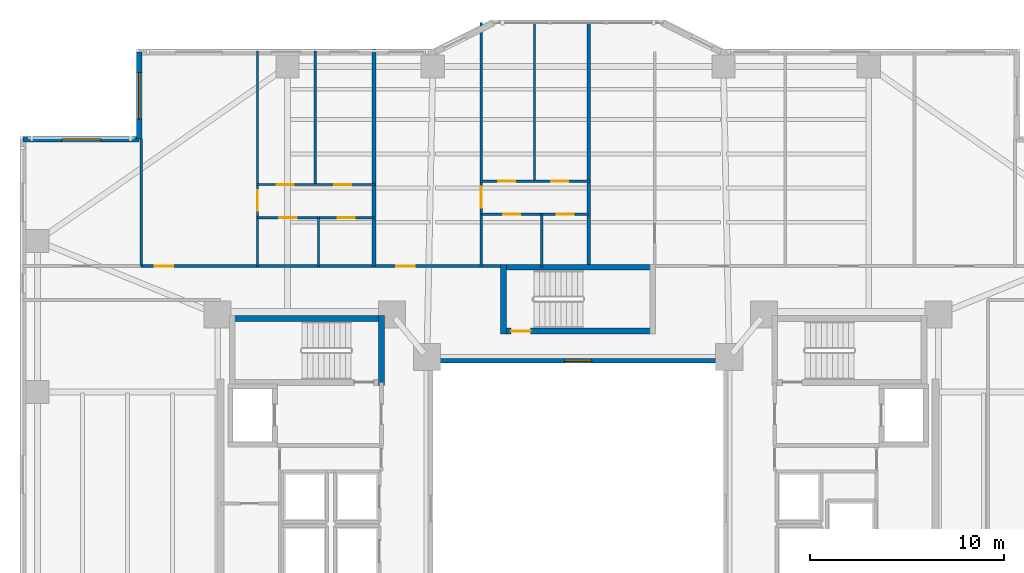
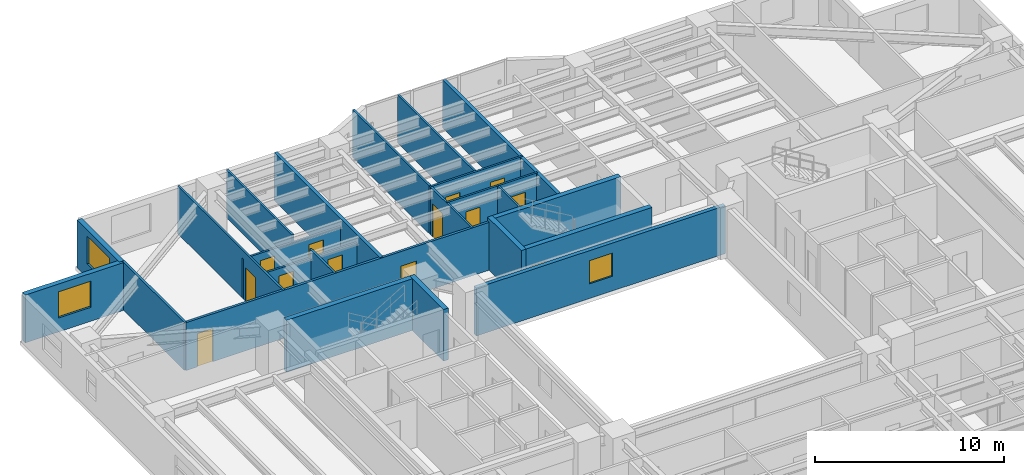
# One storey, part 14 of 21: 24 walls, 13 doors, 3 windows, 16 openings.
"""IFC4 building model written with IfcOpenShell, lengths in metres."""

from ifc_helpers import new_model, si_unit, direction, frame, frame_2d, origin, place, context, subcontext, project, spatial, rectangle, extrude, material, layer, layer_set, type_object, element, fill, save


model = new_model("IFC4")

# Units and contexts
model_context = context("Model", 3, precision=1e-05, world=origin(), true_north=direction((0.0, 1.0)))
body_context = subcontext(model_context, "Body", "Model", "MODEL_VIEW")
ifc_project = project(units=[si_unit("LENGTHUNIT", "METRE"), si_unit("AREAUNIT", "SQUARE_METRE"), si_unit("VOLUMEUNIT", "CUBIC_METRE"), si_unit("PLANEANGLEUNIT", "RADIAN"), si_unit("MASSUNIT", "GRAM", prefix="KILO")], contexts=[model_context])

# Site, building, storey
site_placement = place(None, origin())
site = spatial("IfcSite", under=ifc_project, at=site_placement, CompositionType="ELEMENT")
building_placement = place(site_placement, origin())
building = spatial("IfcBuilding", under=site, at=building_placement, Name="Tarnavaz Court Tower", CompositionType="ELEMENT")
storey_placement = place(building_placement, frame((0.0, 0.0, 37.39990234375)))
storey = spatial("IfcBuildingStorey", under=building, at=storey_placement, Name="L09", CompositionType="ELEMENT", Elevation=37.39990234375)

# Walls
ifc_material_1 = material(Name="Concrete C60/75", Category="concrete")
ifc_layer_1 = layer(ifc_material_1, 0.300048828125)
ifc_layer_set_1 = layer_set([ifc_layer_1], Name="Concrete C60/75")
wall_type_1 = type_object("IfcWallType", Name="WL-CORE-300-C60", PredefinedType="SHEAR", material=ifc_layer_set_1)
wall_1_placement = place(storey_placement, frame((-18.0, 9.7900390625, 0.0), z_axis=(0.0, 0.0, 1.0), x_axis=(1.0, 0.0, 0.0)))
element("IfcWall", 1, at=wall_1_placement, inside=storey, type_object=wall_type_1, Name="L09 West Stair Core Wall 001", PredefinedType="SHEAR", context=body_context, shape_type="SweptSolid", body=[
    extrude(rectangle(XDim=8.0, YDim=0.300048828125, at=frame_2d((4.0, 0.0))), origin(), (0.0, 0.0, 1.0), 3.35009765625),
])
wall_2_placement = place(storey_placement, frame((-10.14990234375, 6.35009765625, 0.0), z_axis=(0.0, 0.0, 1.0), x_axis=(0.0, 1.0, 0.0)))
element("IfcWall", 2, at=wall_2_placement, inside=storey, type_object=wall_type_1, Name="L09 West Stair Core Wall 004", PredefinedType="SHEAR", context=body_context, shape_type="SweptSolid", body=[
    extrude(rectangle(XDim=3.58984375, YDim=0.300048828125, at=frame_2d((1.794921875, 0.0))), origin(), (0.0, 0.0, 1.0), 3.35009765625),
])
wall_3_placement = place(storey_placement, frame((-4.0, 12.43994140625, 0.0), z_axis=(0.0, 0.0, 1.0), x_axis=(1.0, 0.0, 0.0)))
element("IfcWall", 3, at=wall_3_placement, inside=storey, type_object=wall_type_1, Name="L09 North Stair Core Wall 009", PredefinedType="SHEAR", context=body_context, shape_type="SweptSolid", body=[
    extrude(rectangle(XDim=8.0, YDim=0.300048828125, at=frame_2d((4.0, 0.0))), origin(), (0.0, 0.0, 1.0), 3.35009765625),
])

# Wall, opening, door
wall_4_placement = place(storey_placement, frame((-4.0, 9.14990234375, 0.0), z_axis=(0.0, 0.0, 1.0), x_axis=(1.0, 0.0, 0.0)))
wall_4 = element("IfcWall", 4, at=wall_4_placement, inside=storey, type_object=wall_type_1, Name="L09 North Stair Core Wall 010", PredefinedType="SHEAR", context=body_context, shape_type="SweptSolid", body=[
    extrude(rectangle(XDim=8.0, YDim=0.300048828125, at=frame_2d((4.0, 0.0))), origin(), (0.0, 0.0, 1.0), 3.35009765625),
])
opening_1_placement = place(wall_4_placement, frame((0.550048828125, 0.0, 0.0)))
opening_1 = element("IfcOpeningElement", 5, at=opening_1_placement, cuts=wall_4, Name="Opening D01", PredefinedType="OPENING", context=body_context, shape_type="SweptSolid", body=[
    extrude(rectangle(XDim=1.0, YDim=2.14990234375, at=frame_2d((0.5, 1.074951171875))), frame((0.0, 0.159912109375, 0.0), z_axis=(0.0, -1.0, 0.0), x_axis=(1.0, 0.0, 0.0)), (0.0, 0.0, 1.0), 0.320068359375),
])
ifc_material_2 = material(Name="Fire-Rated Hardwood Timber Core", Category="wood")
door_type_1 = type_object("IfcDoorType", Name="DR-FD90-1000", OperationType="NOTDEFINED", PredefinedType="DOOR", material=ifc_material_2)
door_1_placement = place(opening_1_placement, origin())
door_1 = element("IfcDoor", 6, at=door_1_placement, inside=storey, type_object=door_type_1, Name="L09 Stair ST-N1 Exit Door", OperationType="SINGLE_SWING_LEFT", OverallHeight=2.14990234375, OverallWidth=1.0, PredefinedType="DOOR", context=body_context, shape_type="SweptSolid", body=[
    extrude(rectangle(XDim=1.0, YDim=2.14990234375, at=frame_2d((0.5, 1.074951171875))), frame((0.0, 0.02490234375, 0.0), z_axis=(0.0, -1.0, 0.0), x_axis=(1.0, 0.0, 0.0)), (0.0, 0.0, 1.0), 0.050048828125),
])
fill(opening_1, door_1)

# Wall
wall_5_placement = place(storey_placement, frame((-3.85009765625, 9.0, 0.0), z_axis=(0.0, 0.0, 1.0), x_axis=(0.0, 1.0, 0.0)))
element("IfcWall", 7, at=wall_5_placement, inside=storey, type_object=wall_type_1, Name="L09 North Stair Core Wall 011", PredefinedType="SHEAR", context=body_context, shape_type="SweptSolid", body=[
    extrude(rectangle(XDim=3.590087890625, YDim=0.300048828125, at=frame_2d((1.794921875, 0.0))), origin(), (0.0, 0.0, 1.0), 3.35009765625),
])

# Wall, opening, window
ifc_material_3 = material(Name="Precast Concrete C40/50", Category="concrete")
ifc_layer_2 = layer(ifc_material_3, 0.300048828125)
ifc_layer_set_2 = layer_set([ifc_layer_2], Name="Precast Concrete C40/50")
wall_type_2 = type_object("IfcWallType", Name="WL-EXT-300", PredefinedType="SOLIDWALL", material=ifc_layer_set_2)
wall_6_placement = place(storey_placement, frame((-28.64990234375, 19.050048828125, 0.0), z_axis=(0.0, 0.0, 1.0), x_axis=(1.0, 0.0, 0.0)))
wall_6 = element("IfcWall", 8, at=wall_6_placement, inside=storey, type_object=wall_type_2, Name="L09 Exterior Terracotta Facade Wall 03", PredefinedType="SOLIDWALL", context=body_context, shape_type="SweptSolid", body=[
    extrude(rectangle(XDim=6.0, YDim=0.300048828125, at=frame_2d((3.0, 0.0))), origin(), (0.0, 0.0, 1.0), 3.10009765625),
])
opening_2_placement = place(wall_6_placement, frame((2.02490234375, 0.0, 0.89990234375)))
opening_2 = element("IfcOpeningElement", 9, at=opening_2_placement, cuts=wall_6, Name="Opening W08", PredefinedType="OPENING", context=body_context, shape_type="SweptSolid", body=[
    extrude(rectangle(XDim=2.0, YDim=1.699951171875, at=frame_2d((1.0, 0.85009765625))), frame((0.0, 0.159912109375, 0.0), z_axis=(0.0, -1.0, 0.0), x_axis=(1.0, 0.0, 0.0)), (0.0, 0.0, 1.0), 0.320068359375),
])
ifc_material_4 = material(Name="Double-Glazed Solar Low-E Glass", Category="glass")
window_type_1 = type_object("IfcWindowType", Name="WN-APT-2000", PartitioningType="DOUBLE_PANEL_VERTICAL", PredefinedType="WINDOW", material=ifc_material_4)
window_1_placement = place(opening_2_placement, origin())
window_1 = element("IfcWindow", 10, at=window_1_placement, inside=storey, type_object=window_type_1, Name="L09 North-West Corner Sunroom Study Window", OverallHeight=1.699951171875, OverallWidth=2.0, PartitioningType="SINGLE_PANEL", PredefinedType="WINDOW", context=body_context, shape_type="SweptSolid", body=[
    extrude(rectangle(XDim=2.0, YDim=1.699951171875, at=frame_2d((1.0, 0.85009765625))), frame((0.0, 0.030029296875, 0.0), z_axis=(0.0, -1.0, 0.0), x_axis=(1.0, 0.0, 0.0)), (0.0, 0.0, 1.0), 0.06005859375),
])
fill(opening_2, window_1)

wall_7_placement = place(storey_placement, frame((-22.64990234375, 19.050048828125, 0.0), z_axis=(0.0, 0.0, 1.0), x_axis=(0.0, 1.0, 0.0)))
wall_7 = element("IfcWall", 11, at=wall_7_placement, inside=storey, type_object=wall_type_2, Name="L09 Exterior Terracotta Facade Wall 04", PredefinedType="SOLIDWALL", context=body_context, shape_type="SweptSolid", body=[
    extrude(rectangle(XDim=4.5, YDim=0.300048828125, at=frame_2d((2.25, 0.0))), origin(), (0.0, 0.0, 1.0), 3.10009765625),
])
opening_3_placement = place(wall_7_placement, frame((1.032470703125, 0.0, 0.89990234375)))
opening_3 = element("IfcOpeningElement", 12, at=opening_3_placement, cuts=wall_7, Name="Opening W06", PredefinedType="OPENING", context=body_context, shape_type="SweptSolid", body=[
    extrude(rectangle(XDim=2.39990234375, YDim=1.800048828125, at=frame_2d((1.199951171875, 0.89990234375))), frame((0.0, 0.159912109375, 0.0), z_axis=(0.0, -1.0, 0.0), x_axis=(1.0, 0.0, 0.0)), (0.0, 0.0, 1.0), 0.320068359375),
])
window_type_2 = type_object("IfcWindowType", Name="WN-APT-2400", PartitioningType="TRIPLE_PANEL_VERTICAL", PredefinedType="WINDOW", material=ifc_material_4)
window_2_placement = place(opening_3_placement, origin())
window_2 = element("IfcWindow", 13, at=window_2_placement, inside=storey, type_object=window_type_2, Name="L09 Flat 01 Living and Dining Room Window", OverallHeight=1.800048828125, OverallWidth=2.39990234375, PartitioningType="SINGLE_PANEL", PredefinedType="WINDOW", context=body_context, shape_type="SweptSolid", body=[
    extrude(rectangle(XDim=2.39990234375, YDim=1.800048828125, at=frame_2d((1.199951171875, 0.89990234375))), frame((0.0, 0.030029296875, 0.0), z_axis=(0.0, -1.0, 0.0), x_axis=(1.0, 0.0, 0.0)), (0.0, 0.0, 1.0), 0.06005859375),
])
fill(opening_3, window_2)

# Wall, openings, doors
ifc_material_5 = material(Name="Gypsum Fire-Board on Acoustic Metal Stud", Category="masonry")
ifc_layer_3 = layer(ifc_material_5, 0.14990234375)
ifc_layer_set_3 = layer_set([ifc_layer_3], Name="Gypsum Fire-Board on Acoustic Metal Stud")
wall_type_3 = type_object("IfcWallType", Name="WL-FIRE-150", PredefinedType="PARTITIONING", material=ifc_layer_set_3)
wall_8_placement = place(storey_placement, frame((-22.550048828125, 12.5, 0.0), z_axis=(0.0, 0.0, 1.0), x_axis=(1.0, 0.0, 0.0)))
wall_8 = element("IfcWall", 14, at=wall_8_placement, inside=storey, type_object=wall_type_3, Name="L09 NW Wing Corridor Wall 081", PredefinedType="PARTITIONING", context=body_context, shape_type="SweptSolid", body=[
    extrude(rectangle(XDim=18.699951171875, YDim=0.14990234375, at=frame_2d((9.35009765625, 0.0))), origin(), (0.0, 0.0, 1.0), 3.10009765625),
])
opening_4_placement = place(wall_8_placement, frame((0.699951171875, 0.0, 0.0)))
opening_4 = element("IfcOpeningElement", 15, at=opening_4_placement, cuts=wall_8, Name="Opening D06", PredefinedType="OPENING", context=body_context, shape_type="SweptSolid", body=[
    extrude(rectangle(XDim=0.9599609375, YDim=2.14990234375, at=frame_2d((0.47998046875, 1.074951171875))), frame((0.0, 0.0849609375, 0.0), z_axis=(0.0, -1.0, 0.0), x_axis=(1.0, 0.0, 0.0)), (0.0, 0.0, 1.0), 0.169921875),
])
opening_5_placement = place(wall_8_placement, frame((13.162109375, 0.0, 0.0)))
opening_5 = element("IfcOpeningElement", 16, at=opening_5_placement, cuts=wall_8, Name="Opening D06", PredefinedType="OPENING", context=body_context, shape_type="SweptSolid", body=[
    extrude(rectangle(XDim=0.9599609375, YDim=2.14990234375, at=frame_2d((0.47998046875, 1.074951171875))), frame((0.0, 0.0849609375, 0.0), z_axis=(0.0, -1.0, 0.0), x_axis=(1.0, 0.0, 0.0)), (0.0, 0.0, 1.0), 0.169921875),
])
door_type_2 = type_object("IfcDoorType", Name="DR-FD60-950", OperationType="NOTDEFINED", PredefinedType="DOOR", material=ifc_material_2)
door_2_placement = place(opening_4_placement, origin())
door_2 = element("IfcDoor", 17, at=door_2_placement, inside=storey, type_object=door_type_2, Name="L09 Flat 01 Entrance Door", OperationType="SINGLE_SWING_LEFT", OverallHeight=2.14990234375, OverallWidth=0.9599609375, PredefinedType="DOOR", context=body_context, shape_type="SweptSolid", body=[
    extrude(rectangle(XDim=0.9599609375, YDim=2.14990234375, at=frame_2d((0.47998046875, 1.074951171875))), frame((0.0, 0.02490234375, 0.0), z_axis=(0.0, -1.0, 0.0), x_axis=(1.0, 0.0, 0.0)), (0.0, 0.0, 1.0), 0.050048828125),
])
fill(opening_4, door_2)
door_3_placement = place(opening_5_placement, origin())
door_3 = element("IfcDoor", 18, at=door_3_placement, inside=storey, type_object=door_type_2, Name="L09 Flat 02 Entrance Door", OperationType="SINGLE_SWING_LEFT", OverallHeight=2.14990234375, OverallWidth=0.9599609375, PredefinedType="DOOR", context=body_context, shape_type="SweptSolid", body=[
    extrude(rectangle(XDim=0.9599609375, YDim=2.14990234375, at=frame_2d((0.47998046875, 1.074951171875))), frame((0.0, 0.02490234375, 0.0), z_axis=(0.0, -1.0, 0.0), x_axis=(1.0, 0.0, 0.0)), (0.0, 0.0, 1.0), 0.050048828125),
])
fill(opening_5, door_3)

# Walls
ifc_material_6 = material(Name="Autoclaved Aerated Concrete Blockwork", Category="masonry")
ifc_layer_4 = layer(ifc_material_6, 0.199951171875)
ifc_layer_set_4 = layer_set([ifc_layer_4], Name="Autoclaved Aerated Concrete Blockwork")
wall_type_4 = type_object("IfcWallType", Name="WL-FIRE-200", PredefinedType="SOLIDWALL", material=ifc_layer_set_4)
wall_9_placement = place(storey_placement, frame((0.550048828125, 12.5, 0.0), z_axis=(0.0, 0.0, 1.0), x_axis=(0.0, 1.0, 0.0)))
element("IfcWall", 19, at=wall_9_placement, inside=storey, type_object=wall_type_4, Name="L09 North Center Party Wall 087", PredefinedType="SOLIDWALL", context=body_context, shape_type="SweptSolid", body=[
    extrude(rectangle(XDim=12.580078125, YDim=0.199951171875, at=frame_2d((6.2900390625, 0.0))), origin(), (0.0, 0.0, 1.0), 3.10009765625),
])
wall_10_placement = place(storey_placement, frame((-10.5380859375, 12.5, 0.0), z_axis=(0.0, 0.0, 1.0), x_axis=(0.0, 1.0, 0.0)))
element("IfcWall", 20, at=wall_10_placement, inside=storey, type_object=wall_type_4, Name="L09 Party Wall 088", PredefinedType="SOLIDWALL", context=body_context, shape_type="SweptSolid", body=[
    extrude(rectangle(XDim=11.214111328125, YDim=0.199951171875, at=frame_2d((5.60693359375, 0.0))), origin(), (0.0, 0.0, 1.0), 3.10009765625),
])

# Wall, opening, door
ifc_material_7 = material(Name="Moisture-Resistant Gypsum Board Partition", Category="masonry")
ifc_layer_5 = layer(ifc_material_7, 0.1201171875)
ifc_layer_set_5 = layer_set([ifc_layer_5], Name="Moisture-Resistant Gypsum Board Partition")
wall_type_5 = type_object("IfcWallType", Name="WL-PART-120", PredefinedType="PARTITIONING", material=ifc_layer_set_5)
wall_11_placement = place(storey_placement, frame((-16.5439453125, 12.43994140625, 0.0), z_axis=(0.0, 0.0, 1.0), x_axis=(0.0, 1.0, 0.0)))
wall_11 = element("IfcWall", 21, at=wall_11_placement, inside=storey, type_object=wall_type_5, Name="L09 Interior Partition 089", PredefinedType="PARTITIONING", context=body_context, shape_type="SweptSolid", body=[
    extrude(rectangle(XDim=11.16015625, YDim=0.1201171875, at=frame_2d((5.580078125, 0.0))), origin(), (0.0, 0.0, 1.0), 3.10009765625),
])
opening_6_placement = place(wall_11_placement, frame((2.905029296875, 0.0, 0.0)))
opening_6 = element("IfcOpeningElement", 22, at=opening_6_placement, cuts=wall_11, Name="Opening D12", PredefinedType="OPENING", context=body_context, shape_type="SweptSolid", body=[
    extrude(rectangle(XDim=1.080078125, YDim=2.14990234375, at=frame_2d((0.5400390625, 1.074951171875))), frame((0.0, 0.070068359375, 0.0), z_axis=(0.0, -1.0, 0.0), x_axis=(1.0, 0.0, 0.0)), (0.0, 0.0, 1.0), 0.14013671875),
])
ifc_material_8 = material(Name="Engineered Oak Timber", Category="wood")
door_type_3 = type_object("IfcDoorType", Name="DR-INT-1100", OperationType="NOTDEFINED", PredefinedType="DOOR", material=ifc_material_8)
door_4_placement = place(opening_6_placement, origin())
door_4 = element("IfcDoor", 23, at=door_4_placement, inside=storey, type_object=door_type_3, Name="L09 Flat 01 Foyer Door", OperationType="SINGLE_SWING_RIGHT", OverallHeight=2.14990234375, OverallWidth=1.080078125, PredefinedType="DOOR", context=body_context, shape_type="SweptSolid", body=[
    extrude(rectangle(XDim=1.080078125, YDim=2.14990234375, at=frame_2d((0.5400390625, 1.074951171875))), frame((0.0, 0.02490234375, 0.0), z_axis=(0.0, -1.0, 0.0), x_axis=(1.0, 0.0, 0.0)), (0.0, 0.0, 1.0), 0.050048828125),
])
fill(opening_6, door_4)

wall_12_placement = place(storey_placement, frame((-16.5439453125, 15.0, 0.0), z_axis=(0.0, 0.0, 1.0), x_axis=(1.0, 0.0, 0.0)))
wall_12 = element("IfcWall", 24, at=wall_12_placement, inside=storey, type_object=wall_type_5, Name="L09 Interior Partition 090", PredefinedType="PARTITIONING", context=body_context, shape_type="SweptSolid", body=[
    extrude(rectangle(XDim=3.15087890625, YDim=0.1201171875, at=frame_2d((1.575439453125, 0.0))), origin(), (0.0, 0.0, 1.0), 2.585205078125),
])
opening_7_placement = place(wall_12_placement, frame((1.135009765625, 0.0, 0.0)))
opening_7 = element("IfcOpeningElement", 25, at=opening_7_placement, cuts=wall_12, Name="Opening D14", PredefinedType="OPENING", context=body_context, shape_type="SweptSolid", body=[
    extrude(rectangle(XDim=0.8798828125, YDim=2.10009765625, at=frame_2d((0.43994140625, 1.050048828125))), frame((0.0, 0.070068359375, 0.0), z_axis=(0.0, -1.0, 0.0), x_axis=(1.0, 0.0, 0.0)), (0.0, 0.0, 1.0), 0.14013671875),
])
door_type_4 = type_object("IfcDoorType", Name="DR-INT-900", OperationType="NOTDEFINED", PredefinedType="DOOR", material=ifc_material_8)
door_5_placement = place(opening_7_placement, origin())
door_5 = element("IfcDoor", 26, at=door_5_placement, inside=storey, type_object=door_type_4, Name="L09 Flat 01 Kitchen Door", OperationType="SINGLE_SWING_LEFT", OverallHeight=2.10009765625, OverallWidth=0.8798828125, PredefinedType="DOOR", context=body_context, shape_type="SweptSolid", body=[
    extrude(rectangle(XDim=0.8798828125, YDim=2.10009765625, at=frame_2d((0.43994140625, 1.050048828125))), frame((0.0, 0.02490234375, 0.0), z_axis=(0.0, -1.0, 0.0), x_axis=(1.0, 0.0, 0.0)), (0.0, 0.0, 1.0), 0.050048828125),
])
fill(opening_7, door_5)

wall_13_placement = place(storey_placement, frame((-13.39306640625, 15.0, 0.0), z_axis=(0.0, 0.0, 1.0), x_axis=(1.0, 0.0, 0.0)))
wall_13 = element("IfcWall", 27, at=wall_13_placement, inside=storey, type_object=wall_type_5, Name="L09 Interior Partition 091", PredefinedType="PARTITIONING", context=body_context, shape_type="SweptSolid", body=[
    extrude(rectangle(XDim=2.85498046875, YDim=0.1201171875, at=frame_2d((1.427490234375, 0.0))), origin(), (0.0, 0.0, 1.0), 2.585205078125),
])
opening_8_placement = place(wall_13_placement, frame((0.988037109375, 0.0, 0.0)))
opening_8 = element("IfcOpeningElement", 28, at=opening_8_placement, cuts=wall_13, Name="Opening D14", PredefinedType="OPENING", context=body_context, shape_type="SweptSolid", body=[
    extrude(rectangle(XDim=0.8798828125, YDim=2.10009765625, at=frame_2d((0.43994140625, 1.050048828125))), frame((0.0, 0.070068359375, 0.0), z_axis=(0.0, -1.0, 0.0), x_axis=(1.0, 0.0, 0.0)), (0.0, 0.0, 1.0), 0.14013671875),
])
door_6_placement = place(opening_8_placement, origin())
door_6 = element("IfcDoor", 29, at=door_6_placement, inside=storey, type_object=door_type_4, Name="L09 Flat 01 Bathroom Door", OperationType="SINGLE_SWING_RIGHT", OverallHeight=2.10009765625, OverallWidth=0.8798828125, PredefinedType="DOOR", context=body_context, shape_type="SweptSolid", body=[
    extrude(rectangle(XDim=0.8798828125, YDim=2.10009765625, at=frame_2d((0.43994140625, 1.050048828125))), frame((0.0, 0.02490234375, 0.0), z_axis=(0.0, -1.0, 0.0), x_axis=(1.0, 0.0, 0.0)), (0.0, 0.0, 1.0), 0.050048828125),
])
fill(opening_8, door_6)

# Wall, openings, doors
wall_14_placement = place(storey_placement, frame((-16.60400390625, 16.7099609375, 0.0), z_axis=(0.0, 0.0, 1.0), x_axis=(1.0, 0.0, 0.0)))
wall_14 = element("IfcWall", 30, at=wall_14_placement, inside=storey, type_object=wall_type_5, Name="L09 Interior Partition 092", PredefinedType="PARTITIONING", context=body_context, shape_type="SweptSolid", body=[
    extrude(rectangle(XDim=6.1259765625, YDim=0.1201171875, at=frame_2d((3.06298828125, 0.0))), origin(), (0.0, 0.0, 1.0), 2.585205078125),
])
opening_9_placement = place(wall_14_placement, frame((1.0458984375, 0.0, 0.0)))
opening_9 = element("IfcOpeningElement", 31, at=opening_9_placement, cuts=wall_14, Name="Opening D14", PredefinedType="OPENING", context=body_context, shape_type="SweptSolid", body=[
    extrude(rectangle(XDim=0.8798828125, YDim=2.10009765625, at=frame_2d((0.43994140625, 1.050048828125))), frame((0.0, 0.070068359375, 0.0), z_axis=(0.0, -1.0, 0.0), x_axis=(1.0, 0.0, 0.0)), (0.0, 0.0, 1.0), 0.14013671875),
])
opening_10_placement = place(wall_14_placement, frame((4.01904296875, 0.0, 0.0)))
opening_10 = element("IfcOpeningElement", 32, at=opening_10_placement, cuts=wall_14, Name="Opening D14", PredefinedType="OPENING", context=body_context, shape_type="SweptSolid", body=[
    extrude(rectangle(XDim=0.8798828125, YDim=2.10009765625, at=frame_2d((0.43994140625, 1.050048828125))), frame((0.0, 0.070068359375, 0.0), z_axis=(0.0, -1.0, 0.0), x_axis=(1.0, 0.0, 0.0)), (0.0, 0.0, 1.0), 0.14013671875),
])
door_7_placement = place(opening_9_placement, origin())
door_7 = element("IfcDoor", 33, at=door_7_placement, inside=storey, type_object=door_type_4, Name="L09 Flat 01 Bedroom 1 Door", OperationType="SINGLE_SWING_LEFT", OverallHeight=2.10009765625, OverallWidth=0.8798828125, PredefinedType="DOOR", context=body_context, shape_type="SweptSolid", body=[
    extrude(rectangle(XDim=0.8798828125, YDim=2.10009765625, at=frame_2d((0.43994140625, 1.050048828125))), frame((0.0, 0.02490234375, 0.0), z_axis=(0.0, -1.0, 0.0), x_axis=(1.0, 0.0, 0.0)), (0.0, 0.0, 1.0), 0.050048828125),
])
fill(opening_9, door_7)
door_8_placement = place(opening_10_placement, origin())
door_8 = element("IfcDoor", 34, at=door_8_placement, inside=storey, type_object=door_type_4, Name="L09 Flat 01 Bedroom 2 Door", OperationType="SINGLE_SWING_RIGHT", OverallHeight=2.10009765625, OverallWidth=0.8798828125, PredefinedType="DOOR", context=body_context, shape_type="SweptSolid", body=[
    extrude(rectangle(XDim=0.8798828125, YDim=2.10009765625, at=frame_2d((0.43994140625, 1.050048828125))), frame((0.0, 0.02490234375, 0.0), z_axis=(0.0, -1.0, 0.0), x_axis=(1.0, 0.0, 0.0)), (0.0, 0.0, 1.0), 0.050048828125),
])
fill(opening_10, door_8)

# Walls
wall_15_placement = place(storey_placement, frame((-13.39306640625, 12.43994140625, 0.0), z_axis=(0.0, 0.0, 1.0), x_axis=(0.0, 1.0, 0.0)))
element("IfcWall", 35, at=wall_15_placement, inside=storey, type_object=wall_type_5, Name="L09 Interior Partition 093", PredefinedType="PARTITIONING", context=body_context, shape_type="SweptSolid", body=[
    extrude(rectangle(XDim=2.6201171875, YDim=0.1201171875, at=frame_2d((1.31005859375, 0.0))), origin(), (0.0, 0.0, 1.0), 3.10009765625),
])
wall_16_placement = place(storey_placement, frame((-13.571044921875, 16.64990234375, 0.0), z_axis=(0.0, 0.0, 1.0), x_axis=(0.0, 1.0, 0.0)))
element("IfcWall", 36, at=wall_16_placement, inside=storey, type_object=wall_type_5, Name="L09 Interior Partition 094", PredefinedType="PARTITIONING", context=body_context, shape_type="SweptSolid", body=[
    extrude(rectangle(XDim=6.9501953125, YDim=0.1201171875, at=frame_2d((3.47509765625, 0.0))), origin(), (0.0, 0.0, 1.0), 3.10009765625),
])

# Wall, opening, door
wall_17_placement = place(storey_placement, frame((-4.993896484375, 12.43994140625, 0.0), z_axis=(0.0, 0.0, 1.0), x_axis=(0.0, 1.0, 0.0)))
wall_17 = element("IfcWall", 37, at=wall_17_placement, inside=storey, type_object=wall_type_5, Name="L09 Interior Partition 095", PredefinedType="PARTITIONING", context=body_context, shape_type="SweptSolid", body=[
    extrude(rectangle(XDim=12.64013671875, YDim=0.1201171875, at=frame_2d((6.320068359375, 0.0))), origin(), (0.0, 0.0, 1.0), 3.10009765625),
])
opening_11_placement = place(wall_17_placement, frame((3.074951171875, 0.0, 0.0)))
opening_11 = element("IfcOpeningElement", 38, at=opening_11_placement, cuts=wall_17, Name="Opening D12", PredefinedType="OPENING", context=body_context, shape_type="SweptSolid", body=[
    extrude(rectangle(XDim=1.080078125, YDim=2.14990234375, at=frame_2d((0.5400390625, 1.074951171875))), frame((0.0, 0.070068359375, 0.0), z_axis=(0.0, -1.0, 0.0), x_axis=(1.0, 0.0, 0.0)), (0.0, 0.0, 1.0), 0.14013671875),
])
door_9_placement = place(opening_11_placement, origin())
door_9 = element("IfcDoor", 39, at=door_9_placement, inside=storey, type_object=door_type_3, Name="L09 Flat 02 Foyer Door", OperationType="SINGLE_SWING_RIGHT", OverallHeight=2.14990234375, OverallWidth=1.080078125, PredefinedType="DOOR", context=body_context, shape_type="SweptSolid", body=[
    extrude(rectangle(XDim=1.080078125, YDim=2.14990234375, at=frame_2d((0.5400390625, 1.074951171875))), frame((0.0, 0.02490234375, 0.0), z_axis=(0.0, -1.0, 0.0), x_axis=(1.0, 0.0, 0.0)), (0.0, 0.0, 1.0), 0.050048828125),
])
fill(opening_11, door_9)

wall_18_placement = place(storey_placement, frame((-4.993896484375, 15.169921875, 0.0), z_axis=(0.0, 0.0, 1.0), x_axis=(1.0, 0.0, 0.0)))
wall_18 = element("IfcWall", 40, at=wall_18_placement, inside=storey, type_object=wall_type_5, Name="L09 Interior Partition 096", PredefinedType="PARTITIONING", context=body_context, shape_type="SweptSolid", body=[
    extrude(rectangle(XDim=3.1259765625, YDim=0.1201171875, at=frame_2d((1.56298828125, 0.0))), origin(), (0.0, 0.0, 1.0), 3.10009765625),
])
opening_12_placement = place(wall_18_placement, frame((1.123046875, 0.0, 0.0)))
opening_12 = element("IfcOpeningElement", 41, at=opening_12_placement, cuts=wall_18, Name="Opening D14", PredefinedType="OPENING", context=body_context, shape_type="SweptSolid", body=[
    extrude(rectangle(XDim=0.8798828125, YDim=2.10009765625, at=frame_2d((0.43994140625, 1.050048828125))), frame((0.0, 0.070068359375, 0.0), z_axis=(0.0, -1.0, 0.0), x_axis=(1.0, 0.0, 0.0)), (0.0, 0.0, 1.0), 0.14013671875),
])
door_10_placement = place(opening_12_placement, origin())
door_10 = element("IfcDoor", 42, at=door_10_placement, inside=storey, type_object=door_type_4, Name="L09 Flat 02 Kitchen Door", OperationType="SINGLE_SWING_LEFT", OverallHeight=2.10009765625, OverallWidth=0.8798828125, PredefinedType="DOOR", context=body_context, shape_type="SweptSolid", body=[
    extrude(rectangle(XDim=0.8798828125, YDim=2.10009765625, at=frame_2d((0.43994140625, 1.050048828125))), frame((0.0, 0.02490234375, 0.0), z_axis=(0.0, -1.0, 0.0), x_axis=(1.0, 0.0, 0.0)), (0.0, 0.0, 1.0), 0.050048828125),
])
fill(opening_12, door_10)

wall_19_placement = place(storey_placement, frame((-1.867919921875, 15.169921875, 0.0), z_axis=(0.0, 0.0, 1.0), x_axis=(1.0, 0.0, 0.0)))
wall_19 = element("IfcWall", 43, at=wall_19_placement, inside=storey, type_object=wall_type_5, Name="L09 Interior Partition 097", PredefinedType="PARTITIONING", context=body_context, shape_type="SweptSolid", body=[
    extrude(rectangle(XDim=2.41796875, YDim=0.1201171875, at=frame_2d((1.208984375, 0.0))), origin(), (0.0, 0.0, 1.0), 3.10009765625),
])
opening_13_placement = place(wall_19_placement, frame((0.76904296875, 0.0, 0.0)))
opening_13 = element("IfcOpeningElement", 44, at=opening_13_placement, cuts=wall_19, Name="Opening D14", PredefinedType="OPENING", context=body_context, shape_type="SweptSolid", body=[
    extrude(rectangle(XDim=0.8798828125, YDim=2.10009765625, at=frame_2d((0.43994140625, 1.050048828125))), frame((0.0, 0.070068359375, 0.0), z_axis=(0.0, -1.0, 0.0), x_axis=(1.0, 0.0, 0.0)), (0.0, 0.0, 1.0), 0.14013671875),
])
door_11_placement = place(opening_13_placement, origin())
door_11 = element("IfcDoor", 45, at=door_11_placement, inside=storey, type_object=door_type_4, Name="L09 Flat 02 Bathroom Door", OperationType="SINGLE_SWING_RIGHT", OverallHeight=2.10009765625, OverallWidth=0.8798828125, PredefinedType="DOOR", context=body_context, shape_type="SweptSolid", body=[
    extrude(rectangle(XDim=0.8798828125, YDim=2.10009765625, at=frame_2d((0.43994140625, 1.050048828125))), frame((0.0, 0.02490234375, 0.0), z_axis=(0.0, -1.0, 0.0), x_axis=(1.0, 0.0, 0.0)), (0.0, 0.0, 1.0), 0.050048828125),
])
fill(opening_13, door_11)

# Wall, openings, doors
wall_20_placement = place(storey_placement, frame((-5.053955078125, 16.8798828125, 0.0), z_axis=(0.0, 0.0, 1.0), x_axis=(1.0, 0.0, 0.0)))
wall_20 = element("IfcWall", 46, at=wall_20_placement, inside=storey, type_object=wall_type_5, Name="L09 Interior Partition 098", PredefinedType="PARTITIONING", context=body_context, shape_type="SweptSolid", body=[
    extrude(rectangle(XDim=5.6640625, YDim=0.1201171875, at=frame_2d((2.83203125, 0.0))), origin(), (0.0, 0.0, 1.0), 3.10009765625),
])
opening_14_placement = place(wall_20_placement, frame((0.930908203125, 0.0, 0.0)))
opening_14 = element("IfcOpeningElement", 47, at=opening_14_placement, cuts=wall_20, Name="Opening D14", PredefinedType="OPENING", context=body_context, shape_type="SweptSolid", body=[
    extrude(rectangle(XDim=0.8798828125, YDim=2.10009765625, at=frame_2d((0.43994140625, 1.050048828125))), frame((0.0, 0.070068359375, 0.0), z_axis=(0.0, -1.0, 0.0), x_axis=(1.0, 0.0, 0.0)), (0.0, 0.0, 1.0), 0.14013671875),
])
opening_15_placement = place(wall_20_placement, frame((3.673095703125, 0.0, 0.0)))
opening_15 = element("IfcOpeningElement", 48, at=opening_15_placement, cuts=wall_20, Name="Opening D14", PredefinedType="OPENING", context=body_context, shape_type="SweptSolid", body=[
    extrude(rectangle(XDim=0.8798828125, YDim=2.10009765625, at=frame_2d((0.43994140625, 1.050048828125))), frame((0.0, 0.070068359375, 0.0), z_axis=(0.0, -1.0, 0.0), x_axis=(1.0, 0.0, 0.0)), (0.0, 0.0, 1.0), 0.14013671875),
])
door_12_placement = place(opening_14_placement, origin())
door_12 = element("IfcDoor", 49, at=door_12_placement, inside=storey, type_object=door_type_4, Name="L09 Flat 02 Bedroom 1 Door", OperationType="SINGLE_SWING_LEFT", OverallHeight=2.10009765625, OverallWidth=0.8798828125, PredefinedType="DOOR", context=body_context, shape_type="SweptSolid", body=[
    extrude(rectangle(XDim=0.8798828125, YDim=2.10009765625, at=frame_2d((0.43994140625, 1.050048828125))), frame((0.0, 0.02490234375, 0.0), z_axis=(0.0, -1.0, 0.0), x_axis=(1.0, 0.0, 0.0)), (0.0, 0.0, 1.0), 0.050048828125),
])
fill(opening_14, door_12)
door_13_placement = place(opening_15_placement, origin())
door_13 = element("IfcDoor", 50, at=door_13_placement, inside=storey, type_object=door_type_4, Name="L09 Flat 02 Bedroom 2 Door", OperationType="SINGLE_SWING_RIGHT", OverallHeight=2.10009765625, OverallWidth=0.8798828125, PredefinedType="DOOR", context=body_context, shape_type="SweptSolid", body=[
    extrude(rectangle(XDim=0.8798828125, YDim=2.10009765625, at=frame_2d((0.43994140625, 1.050048828125))), frame((0.0, 0.02490234375, 0.0), z_axis=(0.0, -1.0, 0.0), x_axis=(1.0, 0.0, 0.0)), (0.0, 0.0, 1.0), 0.050048828125),
])
fill(opening_15, door_13)

# Walls
wall_21_placement = place(storey_placement, frame((-1.867919921875, 12.43994140625, 0.0), z_axis=(0.0, 0.0, 1.0), x_axis=(0.0, 1.0, 0.0)))
element("IfcWall", 51, at=wall_21_placement, inside=storey, type_object=wall_type_5, Name="L09 Interior Partition 099", PredefinedType="PARTITIONING", context=body_context, shape_type="SweptSolid", body=[
    extrude(rectangle(XDim=2.7900390625, YDim=0.1201171875, at=frame_2d((1.39501953125, 0.0))), origin(), (0.0, 0.0, 1.0), 3.10009765625),
])
wall_22_placement = place(storey_placement, frame((-2.251953125, 16.820068359375, 0.0), z_axis=(0.0, 0.0, 1.0), x_axis=(0.0, 1.0, 0.0)))
element("IfcWall", 52, at=wall_22_placement, inside=storey, type_object=wall_type_5, Name="L09 Interior Partition 100", PredefinedType="PARTITIONING", context=body_context, shape_type="SweptSolid", body=[
    extrude(rectangle(XDim=8.260009765625, YDim=0.1201171875, at=frame_2d((4.1298828125, 0.0))), origin(), (0.0, 0.0, 1.0), 3.10009765625),
])
ifc_material_9 = material(Name="Gypsum Plasterboard Acoustic Partition", Category="masonry")
ifc_layer_6 = layer(ifc_material_9, 0.139892578125)
ifc_layer_set_6 = layer_set([ifc_layer_6], Name="Gypsum Plasterboard Acoustic Partition")
wall_type_6 = type_object("IfcWallType", Name="WL-PART-150", PredefinedType="PARTITIONING", material=ifc_layer_set_6)
wall_23_placement = place(storey_placement, frame((-22.550048828125, 12.5, 0.0), z_axis=(0.0, 0.0, 1.0), x_axis=(0.0, 1.0, 0.0)))
element("IfcWall", 53, at=wall_23_placement, inside=storey, type_object=wall_type_6, Name="L09 Interior Partition 139", PredefinedType="PARTITIONING", context=body_context, shape_type="SweptSolid", body=[
    extrude(rectangle(XDim=6.550048828125, YDim=0.139892578125, at=frame_2d((3.27490234375, 0.0))), origin(), (0.0, 0.0, 1.0), 3.10009765625),
])

# Wall, opening, window
ifc_layer_7 = layer(ifc_material_3, 0.239990234375)
ifc_layer_set_7 = layer_set([ifc_layer_7], Name="Precast Concrete C40/50")
wall_type_7 = type_object("IfcWallType", Name="WL-WELL-240", PredefinedType="SOLIDWALL", material=ifc_layer_set_7)
wall_24_placement = place(storey_placement, frame((7.6201171875, 7.6201171875, 0.0), z_axis=(0.0, 0.0, 1.0), x_axis=(-1.0, 0.0, 0.0)))
wall_24 = element("IfcWall", 54, at=wall_24_placement, inside=storey, type_object=wall_type_7, Name="L09 Badgir Light-Well Exterior Wall N", PredefinedType="SOLIDWALL", context=body_context, shape_type="SweptSolid", body=[
    extrude(rectangle(XDim=15.240234375, YDim=0.239990234375, at=frame_2d((7.6201171875, 0.0))), origin(), (0.0, 0.0, 1.0), 3.10009765625),
])
opening_16_placement = place(wall_24_placement, frame((6.919921875, 0.0, 0.949951171875)))
opening_16 = element("IfcOpeningElement", 55, at=opening_16_placement, cuts=wall_24, Name="Opening W13", PredefinedType="OPENING", context=body_context, shape_type="SweptSolid", body=[
    extrude(rectangle(XDim=1.39990234375, YDim=1.5, at=frame_2d((0.699951171875, 0.75))), frame((0.0, 0.1298828125, 0.0), z_axis=(0.0, -1.0, 0.0), x_axis=(1.0, 0.0, 0.0)), (0.0, 0.0, 1.0), 0.260009765625),
])
window_type_3 = type_object("IfcWindowType", Name="WN-WEL-1400", PartitioningType="SINGLE_PANEL", PredefinedType="WINDOW", material=ifc_material_4)
window_3_placement = place(opening_16_placement, origin())
window_3 = element("IfcWindow", 56, at=window_3_placement, inside=storey, type_object=window_type_3, Name="L09 Courtyard Gallery Window N", OverallHeight=1.5, OverallWidth=1.39990234375, PartitioningType="SINGLE_PANEL", PredefinedType="WINDOW", context=body_context, shape_type="SweptSolid", body=[
    extrude(rectangle(XDim=1.39990234375, YDim=1.5, at=frame_2d((0.699951171875, 0.75))), frame((0.0, 0.030029296875, 0.0), z_axis=(0.0, -1.0, 0.0), x_axis=(1.0, 0.0, 0.0)), (0.0, 0.0, 1.0), 0.06005859375),
])
fill(opening_16, window_3)

save(model, "model.ifc")
